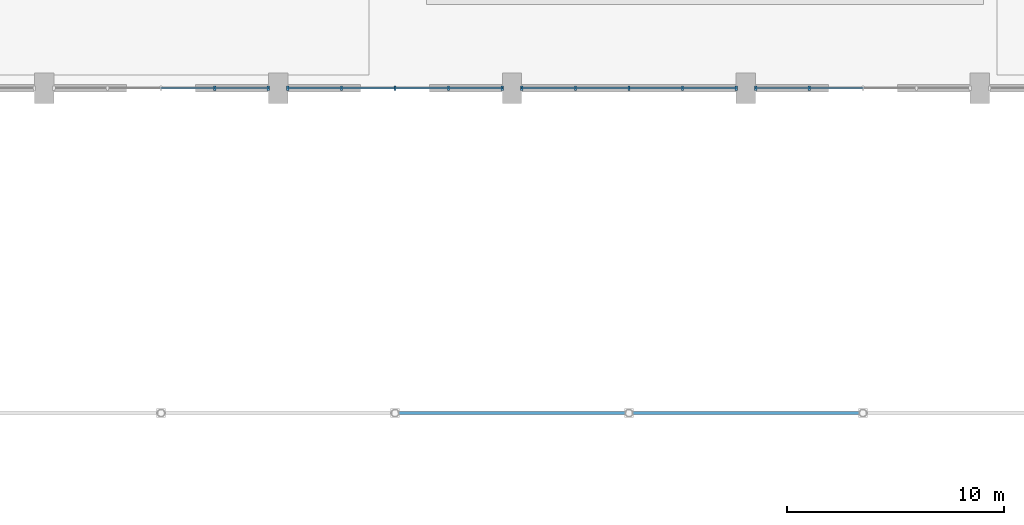
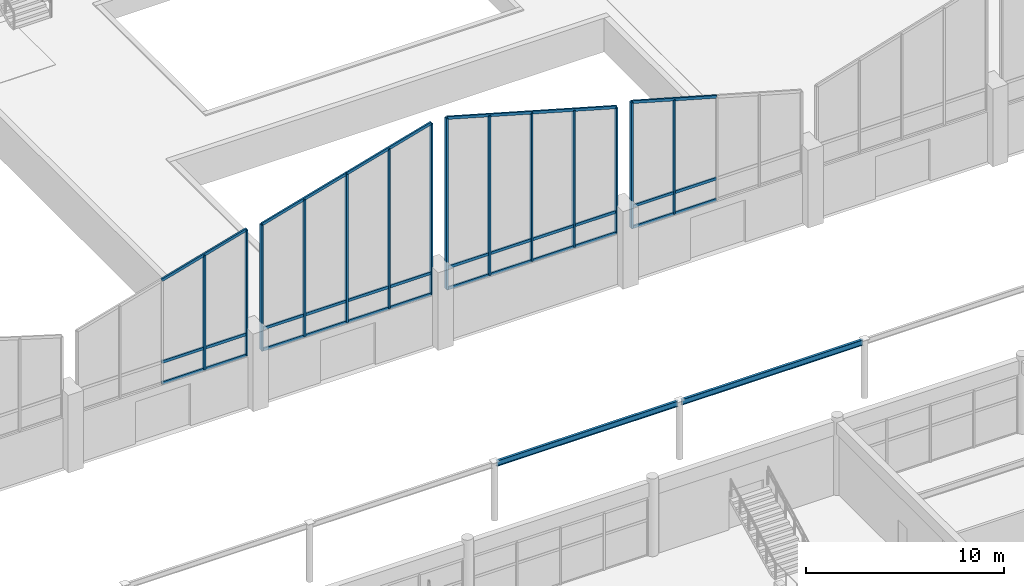
# One storey, part 25 of 82: 44 members, 2 beams, 4 elements without a shape of their own.
"""IFC4 building model written with IfcOpenShell, lengths in metres."""

from ifc_helpers import new_model, si_unit, direction, frame, origin, origin_2d, place, context, subcontext, project, spatial, rectangle, i_section, extrude, material, material_profile, profile_set, type_object, element, aggregate, save


model = new_model("IFC4")

# Units and contexts
model_context = context("Model", 3, precision=1e-05, world=origin(), true_north=direction((0.0, 1.0)))
body_context = subcontext(model_context, "Body", "Model", "MODEL_VIEW")
ifc_project = project(units=[si_unit("LENGTHUNIT", "METRE"), si_unit("AREAUNIT", "SQUARE_METRE"), si_unit("VOLUMEUNIT", "CUBIC_METRE"), si_unit("PLANEANGLEUNIT", "RADIAN"), si_unit("MASSUNIT", "GRAM", prefix="KILO")], contexts=[model_context])

# Site, building, storey
site_placement = place(None, origin())
site = spatial("IfcSite", under=ifc_project, at=site_placement, CompositionType="ELEMENT")
building_placement = place(site_placement, origin())
building = spatial("IfcBuilding", under=site, at=building_placement, Name="Suirenkawa Promenade Aquatics Centre", CompositionType="ELEMENT")
storey_placement = place(building_placement, origin())
storey = spatial("IfcBuildingStorey", under=building, at=storey_placement, Name="L00", CompositionType="ELEMENT", Elevation=0.0)

# Beams
ifc_material_1 = material(Name="Steel IS 2062 E350 (Grade 350)", Category="steel")
ifc_material_profile_1 = material_profile(ifc_material_1, i_section(OverallWidth=0.139892578125, OverallDepth=0.35009765625, WebThickness=0.008056640625, FlangeThickness=0.013916015625, at=origin_2d()), Name="ISMB 350", Category="steel")
ifc_profile_set_1 = profile_set([ifc_material_profile_1], Name="Steel IS 2062 E350 (Grade 350)")
beam_type = type_object("IfcBeamType", Name="BT-JOIST-ISMB350", PredefinedType="JOIST", material=ifc_profile_set_1)
for number, where, z_axis, x_axis, name in (
    (1, (106.300048828125, 35.39990234375, 3.425048828125), (1.0, 0.0, 0.0), (0.0, 1.0, 0.0), "Cloister canopy beam JS-03 BM-1342"),
    (2, (117.10009765625, 35.39990234375, 3.425048828125), (1.0, 0.0, 0.0), (0.0, 1.0, 0.0), "Cloister canopy beam JS-03 BM-1343"),
):
    element("IfcBeam", number, at=place(storey_placement, frame(where, z_axis=z_axis, x_axis=x_axis)), inside=storey, type_object=beam_type, Name=name, PredefinedType="JOIST", context=body_context, shape_type="SweptSolid", body=[
        extrude(i_section(OverallWidth=0.139892578125, OverallDepth=0.35009765625, WebThickness=0.008056640625, FlangeThickness=0.013916015625, at=origin_2d()), origin(), (0.0, 0.0, 1.0), 10.599853515625),
    ])

# Curtain wall, members
ifc_material_2 = material(Name="Anodised aluminium 6063-T6", Category="aluminium")
curtain_wall_type_1 = type_object("IfcCurtainWallType", Name="CWAT-CLERS-12", PredefinedType="NOTDEFINED", material=ifc_material_2)
curtain_wall_1_placement = place(storey_placement, origin())
curtain_wall_1 = element("IfcCurtainWall", 3, at=curtain_wall_1_placement, inside=storey, type_object=curtain_wall_type_1, Name="Curtain wall CWA-12 CW-019", PredefinedType="NOTDEFINED")
ifc_material_profile_2 = material_profile(ifc_material_2, rectangle(XDim=0.10009765625, YDim=0.219970703125, at=origin_2d()), Name="ALU MULL 100x220", Category="aluminium")
ifc_profile_set_2 = profile_set([ifc_material_profile_2], Name="Anodised aluminium 6063-T6")
member_type_1 = type_object("IfcMemberType", Name="CWM-220x100", PredefinedType="MULLION", material=ifc_profile_set_2)
member_1_placement = place(storey_placement, frame((100.35107421875, 50.39990234375, 3.10009765625), z_axis=(0.0, 0.0, 1.0), x_axis=(-1.0, 0.0, 0.0)))
member_1 = element("IfcMember", 4, at=member_1_placement, type_object=member_type_1, Name="Mullion ML-01 CWM-00401", PredefinedType="MULLION", context=body_context, shape_type="SweptSolid", body=[
    extrude(rectangle(XDim=0.10009765625, YDim=0.219970703125, at=origin_2d()), origin(), (0.0, 0.0, 1.0), 7.75),
])
member_2_placement = place(storey_placement, frame((97.87548828125, 50.39990234375, 3.10009765625), z_axis=(0.0, 0.0, 1.0), x_axis=(-1.0, 0.0, 0.0)))
member_2 = element("IfcMember", 5, at=member_2_placement, type_object=member_type_1, Name="Mullion ML-01 CWM-00402", PredefinedType="MULLION", context=body_context, shape_type="SweptSolid", body=[
    extrude(rectangle(XDim=0.10009765625, YDim=0.219970703125, at=origin_2d()), origin(), (0.0, 0.0, 1.0), 7.0498046875),
])

curtain_wall_type_2 = type_object("IfcCurtainWallType", Name="CWAT-CLERS-14", PredefinedType="NOTDEFINED", material=ifc_material_2)
curtain_wall_2_placement = place(storey_placement, origin())
curtain_wall_2 = element("IfcCurtainWall", 6, at=curtain_wall_2_placement, inside=storey, type_object=curtain_wall_type_2, Name="Curtain wall CWA-14 CW-022", PredefinedType="NOTDEFINED")
member_3_placement = place(storey_placement, frame((111.15087890625, 50.39990234375, 3.10009765625), z_axis=(0.0, 0.0, 1.0), x_axis=(-1.0, 0.0, 0.0)))
member_3 = element("IfcMember", 7, at=member_3_placement, type_object=member_type_1, Name="Mullion ML-01 CWM-00461", PredefinedType="MULLION", context=body_context, shape_type="SweptSolid", body=[
    extrude(rectangle(XDim=0.10009765625, YDim=0.219970703125, at=origin_2d()), origin(), (0.0, 0.0, 1.0), 10.5498046875),
])
member_4_placement = place(storey_placement, frame((108.675537109375, 50.39990234375, 3.10009765625), z_axis=(0.0, 0.0, 1.0), x_axis=(-1.0, 0.0, 0.0)))
member_4 = element("IfcMember", 8, at=member_4_placement, type_object=member_type_1, Name="Mullion ML-01 CWM-00462", PredefinedType="MULLION", context=body_context, shape_type="SweptSolid", body=[
    extrude(rectangle(XDim=0.10009765625, YDim=0.219970703125, at=origin_2d()), origin(), (0.0, 0.0, 1.0), 9.849853515625),
])
member_5_placement = place(storey_placement, frame((106.199951171875, 50.39990234375, 3.10009765625), z_axis=(0.0, 0.0, 1.0), x_axis=(-1.0, 0.0, 0.0)))
member_5 = element("IfcMember", 9, at=member_5_placement, type_object=member_type_1, Name="Mullion ML-01 CWM-00463", PredefinedType="MULLION", context=body_context, shape_type="SweptSolid", body=[
    extrude(rectangle(XDim=0.10009765625, YDim=0.219970703125, at=origin_2d()), origin(), (0.0, 0.0, 1.0), 9.14990234375),
])
member_6_placement = place(storey_placement, frame((103.724609375, 50.39990234375, 3.10009765625), z_axis=(0.0, 0.0, 1.0), x_axis=(-1.0, 0.0, 0.0)))
member_6 = element("IfcMember", 10, at=member_6_placement, type_object=member_type_1, Name="Mullion ML-01 CWM-00464", PredefinedType="MULLION", context=body_context, shape_type="SweptSolid", body=[
    extrude(rectangle(XDim=0.10009765625, YDim=0.219970703125, at=origin_2d()), origin(), (0.0, 0.0, 1.0), 8.449951171875),
])
member_7_placement = place(storey_placement, frame((101.2490234375, 50.39990234375, 3.10009765625), z_axis=(0.0, 0.0, 1.0), x_axis=(-1.0, 0.0, 0.0)))
member_7 = element("IfcMember", 11, at=member_7_placement, type_object=member_type_1, Name="Mullion ML-01 CWM-00465", PredefinedType="MULLION", context=body_context, shape_type="SweptSolid", body=[
    extrude(rectangle(XDim=0.10009765625, YDim=0.219970703125, at=origin_2d()), origin(), (0.0, 0.0, 1.0), 7.75),
])

curtain_wall_3_placement = place(storey_placement, origin())
curtain_wall_3 = element("IfcCurtainWall", 12, at=curtain_wall_3_placement, inside=storey, type_object=curtain_wall_type_2, Name="Curtain wall CWA-14 CW-025", PredefinedType="NOTDEFINED")
member_8_placement = place(storey_placement, frame((121.950927734375, 50.39990234375, 3.10009765625), z_axis=(0.0, 0.0, 1.0), x_axis=(-1.0, 0.0, 0.0)))
member_8 = element("IfcMember", 13, at=member_8_placement, type_object=member_type_1, Name="Mullion ML-01 CWM-00521", PredefinedType="MULLION", context=body_context, shape_type="SweptSolid", body=[
    extrude(rectangle(XDim=0.10009765625, YDim=0.219970703125, at=origin_2d()), origin(), (0.0, 0.0, 1.0), 7.75),
])
member_9_placement = place(storey_placement, frame((119.4755859375, 50.39990234375, 3.10009765625), z_axis=(0.0, 0.0, 1.0), x_axis=(-1.0, 0.0, 0.0)))
member_9 = element("IfcMember", 14, at=member_9_placement, type_object=member_type_1, Name="Mullion ML-01 CWM-00522", PredefinedType="MULLION", context=body_context, shape_type="SweptSolid", body=[
    extrude(rectangle(XDim=0.10009765625, YDim=0.219970703125, at=origin_2d()), origin(), (0.0, 0.0, 1.0), 8.449951171875),
])
member_10_placement = place(storey_placement, frame((117.0, 50.39990234375, 3.10009765625), z_axis=(0.0, 0.0, 1.0), x_axis=(-1.0, 0.0, 0.0)))
member_10 = element("IfcMember", 15, at=member_10_placement, type_object=member_type_1, Name="Mullion ML-01 CWM-00523", PredefinedType="MULLION", context=body_context, shape_type="SweptSolid", body=[
    extrude(rectangle(XDim=0.10009765625, YDim=0.219970703125, at=origin_2d()), origin(), (0.0, 0.0, 1.0), 9.14990234375),
])
member_11_placement = place(storey_placement, frame((114.5244140625, 50.39990234375, 3.10009765625), z_axis=(0.0, 0.0, 1.0), x_axis=(-1.0, 0.0, 0.0)))
member_11 = element("IfcMember", 16, at=member_11_placement, type_object=member_type_1, Name="Mullion ML-01 CWM-00524", PredefinedType="MULLION", context=body_context, shape_type="SweptSolid", body=[
    extrude(rectangle(XDim=0.10009765625, YDim=0.219970703125, at=origin_2d()), origin(), (0.0, 0.0, 1.0), 9.849853515625),
])
member_12_placement = place(storey_placement, frame((112.049072265625, 50.39990234375, 3.10009765625), z_axis=(0.0, 0.0, 1.0), x_axis=(-1.0, 0.0, 0.0)))
member_12 = element("IfcMember", 17, at=member_12_placement, type_object=member_type_1, Name="Mullion ML-01 CWM-00525", PredefinedType="MULLION", context=body_context, shape_type="SweptSolid", body=[
    extrude(rectangle(XDim=0.10009765625, YDim=0.219970703125, at=origin_2d()), origin(), (0.0, 0.0, 1.0), 10.5498046875),
])

curtain_wall_4_placement = place(storey_placement, origin())
curtain_wall_4 = element("IfcCurtainWall", 18, at=curtain_wall_4_placement, inside=storey, type_object=curtain_wall_type_1, Name="Curtain wall CWA-12 CW-028", PredefinedType="NOTDEFINED")
member_13_placement = place(storey_placement, frame((125.324462890625, 50.39990234375, 3.10009765625), z_axis=(0.0, 0.0, 1.0), x_axis=(-1.0, 0.0, 0.0)))
member_13 = element("IfcMember", 19, at=member_13_placement, type_object=member_type_1, Name="Mullion ML-01 CWM-00584", PredefinedType="MULLION", context=body_context, shape_type="SweptSolid", body=[
    extrude(rectangle(XDim=0.10009765625, YDim=0.219970703125, at=origin_2d()), origin(), (0.0, 0.0, 1.0), 7.0498046875),
])
member_14_placement = place(storey_placement, frame((122.84912109375, 50.39990234375, 3.10009765625), z_axis=(0.0, 0.0, 1.0), x_axis=(-1.0, 0.0, 0.0)))
member_14 = element("IfcMember", 20, at=member_14_placement, type_object=member_type_1, Name="Mullion ML-01 CWM-00585", PredefinedType="MULLION", context=body_context, shape_type="SweptSolid", body=[
    extrude(rectangle(XDim=0.10009765625, YDim=0.219970703125, at=origin_2d()), origin(), (0.0, 0.0, 1.0), 7.75),
])

# Member
ifc_material_profile_3 = material_profile(ifc_material_2, rectangle(XDim=0.10009765625, YDim=0.169921875, at=origin_2d()), Name="ALU TRAN 100x170", Category="aluminium")
ifc_profile_set_3 = profile_set([ifc_material_profile_3], Name="Anodised aluminium 6063-T6")
member_type_2 = type_object("IfcMemberType", Name="CWT-170x100", PredefinedType="USERDEFINED", material=ifc_profile_set_3)
member_15_placement = place(storey_placement, frame((100.35107421875, 50.39990234375, 3.10009765625), z_axis=(-1.0, 0.0, 0.0), x_axis=(0.0, -1.0, 0.0)))
member_15 = element("IfcMember", 21, at=member_15_placement, type_object=member_type_2, Name="Transom TR-01 CWT-00406", ObjectType="TRANSOM", PredefinedType="USERDEFINED", context=body_context, shape_type="SweptSolid", body=[
    extrude(rectangle(XDim=0.10009765625, YDim=0.169921875, at=origin_2d()), origin(), (0.0, 0.0, 1.0), 2.4755859375),
])

member_16_placement = place(storey_placement, frame((97.87548828125, 50.39990234375, 3.10009765625), z_axis=(-1.0, 0.0, 0.0), x_axis=(0.0, -1.0, 0.0)))
member_16 = element("IfcMember", 22, at=member_16_placement, type_object=member_type_2, Name="Transom TR-01 CWT-00407", ObjectType="TRANSOM", PredefinedType="USERDEFINED", context=body_context, shape_type="SweptSolid", body=[
    extrude(rectangle(XDim=0.10009765625, YDim=0.169921875, at=origin_2d()), origin(), (0.0, 0.0, 1.0), 2.4755859375),
])

member_17_placement = place(storey_placement, frame((100.35107421875, 50.39990234375, 4.39990234375), z_axis=(-1.0, 0.0, 0.0), x_axis=(0.0, -1.0, 0.0)))
member_17 = element("IfcMember", 23, at=member_17_placement, type_object=member_type_2, Name="Transom TR-01 CWT-00410", ObjectType="TRANSOM", PredefinedType="USERDEFINED", context=body_context, shape_type="SweptSolid", body=[
    extrude(rectangle(XDim=0.10009765625, YDim=0.169921875, at=origin_2d()), origin(), (0.0, 0.0, 1.0), 2.4755859375),
])

member_18_placement = place(storey_placement, frame((97.87548828125, 50.39990234375, 4.39990234375), z_axis=(-1.0, 0.0, 0.0), x_axis=(0.0, -1.0, 0.0)))
member_18 = element("IfcMember", 24, at=member_18_placement, type_object=member_type_2, Name="Transom TR-01 CWT-00411", ObjectType="TRANSOM", PredefinedType="USERDEFINED", context=body_context, shape_type="SweptSolid", body=[
    extrude(rectangle(XDim=0.10009765625, YDim=0.169921875, at=origin_2d()), origin(), (0.0, 0.0, 1.0), 2.4755859375),
])

member_19_placement = place(storey_placement, frame((100.35107421875, 50.39990234375, 10.85009765625), z_axis=(-0.962263497919, 0.0, -0.272119386616), x_axis=(0.0, -1.0, 0.0)))
member_19 = element("IfcMember", 25, at=member_19_placement, type_object=member_type_2, Name="Roofline transom TR-01 CWT-00414", ObjectType="TRANSOM", PredefinedType="USERDEFINED", context=body_context, shape_type="SweptSolid", body=[
    extrude(rectangle(XDim=0.10009765625, YDim=0.169921875, at=origin_2d()), origin(), (0.0, 0.0, 1.0), 5.145263671875),
])

aggregate(curtain_wall_1, [member_1, member_2, member_15, member_16, member_17, member_18, member_19])

member_20_placement = place(storey_placement, frame((111.15087890625, 50.39990234375, 3.10009765625), z_axis=(-1.0, 0.0, 0.0), x_axis=(0.0, -1.0, 0.0)))
member_20 = element("IfcMember", 26, at=member_20_placement, type_object=member_type_2, Name="Transom TR-01 CWT-00466", ObjectType="TRANSOM", PredefinedType="USERDEFINED", context=body_context, shape_type="SweptSolid", body=[
    extrude(rectangle(XDim=0.10009765625, YDim=0.169921875, at=origin_2d()), origin(), (0.0, 0.0, 1.0), 2.475341796875),
])

member_21_placement = place(storey_placement, frame((108.675537109375, 50.39990234375, 3.10009765625), z_axis=(-1.0, 0.0, 0.0), x_axis=(0.0, -1.0, 0.0)))
member_21 = element("IfcMember", 27, at=member_21_placement, type_object=member_type_2, Name="Transom TR-01 CWT-00467", ObjectType="TRANSOM", PredefinedType="USERDEFINED", context=body_context, shape_type="SweptSolid", body=[
    extrude(rectangle(XDim=0.10009765625, YDim=0.169921875, at=origin_2d()), origin(), (0.0, 0.0, 1.0), 2.4755859375),
])

member_22_placement = place(storey_placement, frame((106.199951171875, 50.39990234375, 3.10009765625), z_axis=(-1.0, 0.0, 0.0), x_axis=(0.0, -1.0, 0.0)))
member_22 = element("IfcMember", 28, at=member_22_placement, type_object=member_type_2, Name="Transom TR-01 CWT-00468", ObjectType="TRANSOM", PredefinedType="USERDEFINED", context=body_context, shape_type="SweptSolid", body=[
    extrude(rectangle(XDim=0.10009765625, YDim=0.169921875, at=origin_2d()), origin(), (0.0, 0.0, 1.0), 2.475341796875),
])

member_23_placement = place(storey_placement, frame((103.724609375, 50.39990234375, 3.10009765625), z_axis=(-1.0, 0.0, 0.0), x_axis=(0.0, -1.0, 0.0)))
member_23 = element("IfcMember", 29, at=member_23_placement, type_object=member_type_2, Name="Transom TR-01 CWT-00469", ObjectType="TRANSOM", PredefinedType="USERDEFINED", context=body_context, shape_type="SweptSolid", body=[
    extrude(rectangle(XDim=0.10009765625, YDim=0.169921875, at=origin_2d()), origin(), (0.0, 0.0, 1.0), 2.4755859375),
])

member_24_placement = place(storey_placement, frame((111.15087890625, 50.39990234375, 4.39990234375), z_axis=(-1.0, 0.0, 0.0), x_axis=(0.0, -1.0, 0.0)))
member_24 = element("IfcMember", 30, at=member_24_placement, type_object=member_type_2, Name="Transom TR-01 CWT-00470", ObjectType="TRANSOM", PredefinedType="USERDEFINED", context=body_context, shape_type="SweptSolid", body=[
    extrude(rectangle(XDim=0.10009765625, YDim=0.169921875, at=origin_2d()), origin(), (0.0, 0.0, 1.0), 2.475341796875),
])

member_25_placement = place(storey_placement, frame((108.675537109375, 50.39990234375, 4.39990234375), z_axis=(-1.0, 0.0, 0.0), x_axis=(0.0, -1.0, 0.0)))
member_25 = element("IfcMember", 31, at=member_25_placement, type_object=member_type_2, Name="Transom TR-01 CWT-00471", ObjectType="TRANSOM", PredefinedType="USERDEFINED", context=body_context, shape_type="SweptSolid", body=[
    extrude(rectangle(XDim=0.10009765625, YDim=0.169921875, at=origin_2d()), origin(), (0.0, 0.0, 1.0), 2.4755859375),
])

member_26_placement = place(storey_placement, frame((106.199951171875, 50.39990234375, 4.39990234375), z_axis=(-1.0, 0.0, 0.0), x_axis=(0.0, -1.0, 0.0)))
member_26 = element("IfcMember", 32, at=member_26_placement, type_object=member_type_2, Name="Transom TR-01 CWT-00472", ObjectType="TRANSOM", PredefinedType="USERDEFINED", context=body_context, shape_type="SweptSolid", body=[
    extrude(rectangle(XDim=0.10009765625, YDim=0.169921875, at=origin_2d()), origin(), (0.0, 0.0, 1.0), 2.475341796875),
])

member_27_placement = place(storey_placement, frame((103.724609375, 50.39990234375, 4.39990234375), z_axis=(-1.0, 0.0, 0.0), x_axis=(0.0, -1.0, 0.0)))
member_27 = element("IfcMember", 33, at=member_27_placement, type_object=member_type_2, Name="Transom TR-01 CWT-00473", ObjectType="TRANSOM", PredefinedType="USERDEFINED", context=body_context, shape_type="SweptSolid", body=[
    extrude(rectangle(XDim=0.10009765625, YDim=0.169921875, at=origin_2d()), origin(), (0.0, 0.0, 1.0), 2.4755859375),
])

member_28_placement = place(storey_placement, frame((111.15087890625, 50.39990234375, 13.64990234375), z_axis=(-0.962272408902, 0.0, -0.272087873793), x_axis=(0.0, -1.0, 0.0)))
member_28 = element("IfcMember", 34, at=member_28_placement, type_object=member_type_2, Name="Roofline transom TR-01 CWT-00474", ObjectType="TRANSOM", PredefinedType="USERDEFINED", context=body_context, shape_type="SweptSolid", body=[
    extrude(rectangle(XDim=0.10009765625, YDim=0.169921875, at=origin_2d()), origin(), (0.0, 0.0, 1.0), 5.14501953125),
])

member_29_placement = place(storey_placement, frame((106.199951171875, 50.39990234375, 12.25), z_axis=(-0.962272408902, 0.0, -0.272087873793), x_axis=(0.0, -1.0, 0.0)))
member_29 = element("IfcMember", 35, at=member_29_placement, type_object=member_type_2, Name="Roofline transom TR-01 CWT-00475", ObjectType="TRANSOM", PredefinedType="USERDEFINED", context=body_context, shape_type="SweptSolid", body=[
    extrude(rectangle(XDim=0.10009765625, YDim=0.169921875, at=origin_2d()), origin(), (0.0, 0.0, 1.0), 5.14501953125),
])

aggregate(curtain_wall_2, [member_3, member_4, member_5, member_6, member_7, member_20, member_21, member_22, member_23, member_24, member_25, member_26, member_27, member_28, member_29])

member_30_placement = place(storey_placement, frame((121.950927734375, 50.39990234375, 3.10009765625), z_axis=(-1.0, 0.0, 0.0), x_axis=(0.0, -1.0, 0.0)))
member_30 = element("IfcMember", 36, at=member_30_placement, type_object=member_type_2, Name="Transom TR-01 CWT-00526", ObjectType="TRANSOM", PredefinedType="USERDEFINED", context=body_context, shape_type="SweptSolid", body=[
    extrude(rectangle(XDim=0.10009765625, YDim=0.169921875, at=origin_2d()), origin(), (0.0, 0.0, 1.0), 2.475341796875),
])

member_31_placement = place(storey_placement, frame((119.4755859375, 50.39990234375, 3.10009765625), z_axis=(-1.0, 0.0, 0.0), x_axis=(0.0, -1.0, 0.0)))
member_31 = element("IfcMember", 37, at=member_31_placement, type_object=member_type_2, Name="Transom TR-01 CWT-00527", ObjectType="TRANSOM", PredefinedType="USERDEFINED", context=body_context, shape_type="SweptSolid", body=[
    extrude(rectangle(XDim=0.10009765625, YDim=0.169921875, at=origin_2d()), origin(), (0.0, 0.0, 1.0), 2.4755859375),
])

member_32_placement = place(storey_placement, frame((117.0, 50.39990234375, 3.10009765625), z_axis=(-1.0, 0.0, 0.0), x_axis=(0.0, -1.0, 0.0)))
member_32 = element("IfcMember", 38, at=member_32_placement, type_object=member_type_2, Name="Transom TR-01 CWT-00528", ObjectType="TRANSOM", PredefinedType="USERDEFINED", context=body_context, shape_type="SweptSolid", body=[
    extrude(rectangle(XDim=0.10009765625, YDim=0.169921875, at=origin_2d()), origin(), (0.0, 0.0, 1.0), 2.4755859375),
])

member_33_placement = place(storey_placement, frame((114.5244140625, 50.39990234375, 3.10009765625), z_axis=(-1.0, 0.0, 0.0), x_axis=(0.0, -1.0, 0.0)))
member_33 = element("IfcMember", 39, at=member_33_placement, type_object=member_type_2, Name="Transom TR-01 CWT-00529", ObjectType="TRANSOM", PredefinedType="USERDEFINED", context=body_context, shape_type="SweptSolid", body=[
    extrude(rectangle(XDim=0.10009765625, YDim=0.169921875, at=origin_2d()), origin(), (0.0, 0.0, 1.0), 2.475341796875),
])

member_34_placement = place(storey_placement, frame((121.950927734375, 50.39990234375, 4.39990234375), z_axis=(-1.0, 0.0, 0.0), x_axis=(0.0, -1.0, 0.0)))
member_34 = element("IfcMember", 40, at=member_34_placement, type_object=member_type_2, Name="Transom TR-01 CWT-00530", ObjectType="TRANSOM", PredefinedType="USERDEFINED", context=body_context, shape_type="SweptSolid", body=[
    extrude(rectangle(XDim=0.10009765625, YDim=0.169921875, at=origin_2d()), origin(), (0.0, 0.0, 1.0), 2.475341796875),
])

member_35_placement = place(storey_placement, frame((119.4755859375, 50.39990234375, 4.39990234375), z_axis=(-1.0, 0.0, 0.0), x_axis=(0.0, -1.0, 0.0)))
member_35 = element("IfcMember", 41, at=member_35_placement, type_object=member_type_2, Name="Transom TR-01 CWT-00531", ObjectType="TRANSOM", PredefinedType="USERDEFINED", context=body_context, shape_type="SweptSolid", body=[
    extrude(rectangle(XDim=0.10009765625, YDim=0.169921875, at=origin_2d()), origin(), (0.0, 0.0, 1.0), 2.4755859375),
])

member_36_placement = place(storey_placement, frame((117.0, 50.39990234375, 4.39990234375), z_axis=(-1.0, 0.0, 0.0), x_axis=(0.0, -1.0, 0.0)))
member_36 = element("IfcMember", 42, at=member_36_placement, type_object=member_type_2, Name="Transom TR-01 CWT-00532", ObjectType="TRANSOM", PredefinedType="USERDEFINED", context=body_context, shape_type="SweptSolid", body=[
    extrude(rectangle(XDim=0.10009765625, YDim=0.169921875, at=origin_2d()), origin(), (0.0, 0.0, 1.0), 2.4755859375),
])

member_37_placement = place(storey_placement, frame((114.5244140625, 50.39990234375, 4.39990234375), z_axis=(-1.0, 0.0, 0.0), x_axis=(0.0, -1.0, 0.0)))
member_37 = element("IfcMember", 43, at=member_37_placement, type_object=member_type_2, Name="Transom TR-01 CWT-00533", ObjectType="TRANSOM", PredefinedType="USERDEFINED", context=body_context, shape_type="SweptSolid", body=[
    extrude(rectangle(XDim=0.10009765625, YDim=0.169921875, at=origin_2d()), origin(), (0.0, 0.0, 1.0), 2.475341796875),
])

member_38_placement = place(storey_placement, frame((121.950927734375, 50.39990234375, 10.85009765625), z_axis=(-0.962272408902, 0.0, 0.272087873793), x_axis=(0.0, -1.0, 0.0)))
member_38 = element("IfcMember", 44, at=member_38_placement, type_object=member_type_2, Name="Roofline transom TR-01 CWT-00534", ObjectType="TRANSOM", PredefinedType="USERDEFINED", context=body_context, shape_type="SweptSolid", body=[
    extrude(rectangle(XDim=0.10009765625, YDim=0.169921875, at=origin_2d()), origin(), (0.0, 0.0, 1.0), 5.14501953125),
])

member_39_placement = place(storey_placement, frame((117.0, 50.39990234375, 12.25), z_axis=(-0.962272408902, 0.0, 0.272087873793), x_axis=(0.0, -1.0, 0.0)))
member_39 = element("IfcMember", 45, at=member_39_placement, type_object=member_type_2, Name="Roofline transom TR-01 CWT-00535", ObjectType="TRANSOM", PredefinedType="USERDEFINED", context=body_context, shape_type="SweptSolid", body=[
    extrude(rectangle(XDim=0.10009765625, YDim=0.169921875, at=origin_2d()), origin(), (0.0, 0.0, 1.0), 5.14501953125),
])

aggregate(curtain_wall_3, [member_8, member_9, member_10, member_11, member_12, member_30, member_31, member_32, member_33, member_34, member_35, member_36, member_37, member_38, member_39])

member_40_placement = place(storey_placement, frame((127.800048828125, 50.39990234375, 3.10009765625), z_axis=(-1.0, 0.0, 0.0), x_axis=(0.0, -1.0, 0.0)))
member_40 = element("IfcMember", 46, at=member_40_placement, type_object=member_type_2, Name="Transom TR-01 CWT-00588", ObjectType="TRANSOM", PredefinedType="USERDEFINED", context=body_context, shape_type="SweptSolid", body=[
    extrude(rectangle(XDim=0.10009765625, YDim=0.169921875, at=origin_2d()), origin(), (0.0, 0.0, 1.0), 2.4755859375),
])

member_41_placement = place(storey_placement, frame((125.324462890625, 50.39990234375, 3.10009765625), z_axis=(-1.0, 0.0, 0.0), x_axis=(0.0, -1.0, 0.0)))
member_41 = element("IfcMember", 47, at=member_41_placement, type_object=member_type_2, Name="Transom TR-01 CWT-00589", ObjectType="TRANSOM", PredefinedType="USERDEFINED", context=body_context, shape_type="SweptSolid", body=[
    extrude(rectangle(XDim=0.10009765625, YDim=0.169921875, at=origin_2d()), origin(), (0.0, 0.0, 1.0), 2.475341796875),
])

member_42_placement = place(storey_placement, frame((127.800048828125, 50.39990234375, 4.39990234375), z_axis=(-1.0, 0.0, 0.0), x_axis=(0.0, -1.0, 0.0)))
member_42 = element("IfcMember", 48, at=member_42_placement, type_object=member_type_2, Name="Transom TR-01 CWT-00592", ObjectType="TRANSOM", PredefinedType="USERDEFINED", context=body_context, shape_type="SweptSolid", body=[
    extrude(rectangle(XDim=0.10009765625, YDim=0.169921875, at=origin_2d()), origin(), (0.0, 0.0, 1.0), 2.4755859375),
])

member_43_placement = place(storey_placement, frame((125.324462890625, 50.39990234375, 4.39990234375), z_axis=(-1.0, 0.0, 0.0), x_axis=(0.0, -1.0, 0.0)))
member_43 = element("IfcMember", 49, at=member_43_placement, type_object=member_type_2, Name="Transom TR-01 CWT-00593", ObjectType="TRANSOM", PredefinedType="USERDEFINED", context=body_context, shape_type="SweptSolid", body=[
    extrude(rectangle(XDim=0.10009765625, YDim=0.169921875, at=origin_2d()), origin(), (0.0, 0.0, 1.0), 2.475341796875),
])

member_44_placement = place(storey_placement, frame((127.800048828125, 50.39990234375, 9.449951171875), z_axis=(-0.962259984138, 0.0, 0.272131811679), x_axis=(0.0, -1.0, 0.0)))
member_44 = element("IfcMember", 50, at=member_44_placement, type_object=member_type_2, Name="Roofline transom TR-01 CWT-00595", ObjectType="TRANSOM", PredefinedType="USERDEFINED", context=body_context, shape_type="SweptSolid", body=[
    extrude(rectangle(XDim=0.10009765625, YDim=0.169921875, at=origin_2d()), origin(), (0.0, 0.0, 1.0), 5.14501953125),
])

aggregate(curtain_wall_4, [member_13, member_14, member_40, member_41, member_42, member_43, member_44])

save(model, "model.ifc")
